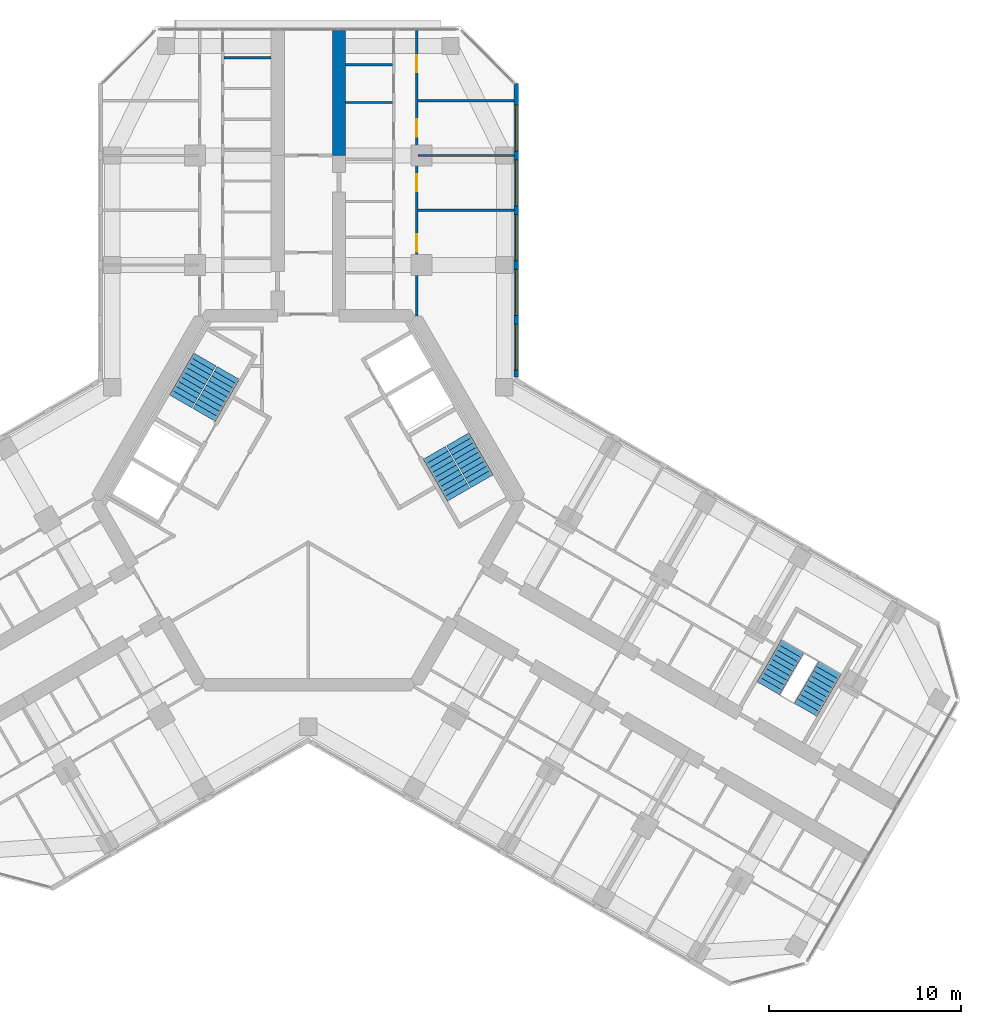
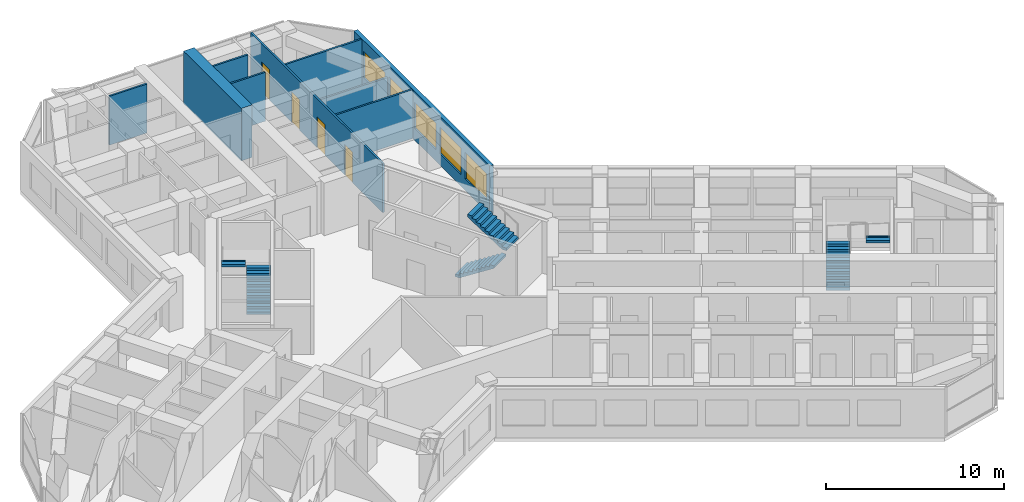
# One storey, part 15 of 16: 9 walls, 6 stair flights, 5 windows, 4 doors, 9 openings, 3 elements without a shape of their own.
"""IFC4 building model written with IfcOpenShell, lengths in metres."""

from ifc_helpers import new_model, si_unit, direction, frame, frame_2d, origin, place, context, subcontext, project, spatial, polyline, rectangle, outline, extrude, material, layer, layer_set, type_object, element, fill, aggregate, save


model = new_model("IFC4")

# Units and contexts
model_context = context("Model", 3, precision=1e-05, world=origin(), true_north=direction((0.0, 1.0)))
body_context = subcontext(model_context, "Body", "Model", "MODEL_VIEW")
ifc_project = project(units=[si_unit("LENGTHUNIT", "METRE"), si_unit("AREAUNIT", "SQUARE_METRE"), si_unit("VOLUMEUNIT", "CUBIC_METRE"), si_unit("PLANEANGLEUNIT", "RADIAN"), si_unit("MASSUNIT", "GRAM", prefix="KILO")], contexts=[model_context])

# Site, building, storey
site_placement = place(None, origin())
site = spatial("IfcSite", under=ifc_project, at=site_placement, CompositionType="ELEMENT")
building_placement = place(site_placement, origin())
building = spatial("IfcBuilding", under=site, at=building_placement, Name="Kosmar Iwan School Tower", CompositionType="ELEMENT")
storey_placement = place(building_placement, frame((0.0, 0.0, 215.39990234375)))
storey = spatial("IfcBuildingStorey", under=building, at=storey_placement, Name="L54", CompositionType="ELEMENT", Elevation=215.39990234375)

# Walls
ifc_material_1 = material(Name="Concrete C50/60", Category="concrete")
ifc_layer_1 = layer(ifc_material_1, 0.699951171875)
ifc_layer_set_1 = layer_set([ifc_layer_1], Name="Corridor buttress wall 700")
wall_type_1 = type_object("IfcWallType", Name="Corridor buttress wall 700", PredefinedType="SHEAR", material=ifc_layer_set_1)
wall_1_placement = place(storey_placement, frame((1.60009765625, 17.949951171875, 0.0), z_axis=(0.0, 0.0, 1.0), x_axis=(0.0, 1.0, 0.0)))
element("IfcWall", 1, at=wall_1_placement, inside=storey, type_object=wall_type_1, Name="Corridor wall AR bay 2", PredefinedType="SHEAR", context=body_context, shape_type="SweptSolid", body=[
    extrude(rectangle(XDim=6.4951171875, YDim=0.699951171875, at=frame_2d((3.24755859375, 0.0))), origin(), (0.0, 0.0, 1.0), 3.60009765625),
])
ifc_material_2 = material(Name="Gypsum board on steel studs", Category="steel")
ifc_layer_2 = layer(ifc_material_2, 0.1201171875)
ifc_layer_set_2 = layer_set([ifc_layer_2], Name="Dwelling partition 120")
wall_type_2 = type_object("IfcWallType", Name="Dwelling partition 120", PredefinedType="PARTITIONING", material=ifc_layer_set_2)
wall_2_placement = place(storey_placement, frame((-1.949951171875, 23.043212890625, 0.0), z_axis=(0.0, 0.0, 1.0), x_axis=(-1.0, 0.0, 0.0)))
element("IfcWall", 2, at=wall_2_placement, inside=storey, type_object=wall_type_2, Name="Partition L54-AL1-Y7", PredefinedType="PARTITIONING", context=body_context, shape_type="SweptSolid", body=[
    extrude(rectangle(XDim=2.43994140625, YDim=0.1201171875, at=frame_2d((1.219970703125, 0.0))), origin(), (0.0, 0.0, 1.0), 3.35009765625),
])

# Wall, openings, doors
wall_3_placement = place(storey_placement, frame((5.64990234375, 9.60009765625, 0.0), z_axis=(0.0, 0.0, 1.0), x_axis=(0.0, 1.0, 0.0)))
wall_3 = element("IfcWall", 3, at=wall_3_placement, inside=storey, type_object=wall_type_2, Name="Partition L54-AR1-W2", PredefinedType="PARTITIONING", context=body_context, shape_type="SweptSolid", body=[
    extrude(rectangle(XDim=14.844970703125, YDim=0.1201171875, at=frame_2d((7.42236328125, 0.0))), origin(), (0.0, 0.0, 1.0), 3.35009765625),
])
opening_1_placement = place(wall_3_placement, frame((3.35009765625, 0.0, 0.0)))
opening_1 = element("IfcOpeningElement", 4, at=opening_1_placement, cuts=wall_3, Name="Opening D2", PredefinedType="OPENING", context=body_context, shape_type="SweptSolid", body=[
    extrude(rectangle(XDim=0.89990234375, YDim=2.10009765625, at=frame_2d((0.449951171875, 1.050048828125))), frame((0.0, 0.072021484375, 0.0), z_axis=(0.0, -1.0, 0.0), x_axis=(1.0, 0.0, 0.0)), (0.0, 0.0, 1.0), 0.14404296875),
])
opening_2_placement = place(wall_3_placement, frame((6.47509765625, 0.0, 0.0)))
opening_2 = element("IfcOpeningElement", 5, at=opening_2_placement, cuts=wall_3, Name="Opening D2", PredefinedType="OPENING", context=body_context, shape_type="SweptSolid", body=[
    extrude(rectangle(XDim=0.89990234375, YDim=2.10009765625, at=frame_2d((0.449951171875, 1.050048828125))), frame((0.0, 0.072021484375, 0.0), z_axis=(0.0, -1.0, 0.0), x_axis=(1.0, 0.0, 0.0)), (0.0, 0.0, 1.0), 0.14404296875),
])
opening_3_placement = place(wall_3_placement, frame((9.324951171875, 0.0, 0.0)))
opening_3 = element("IfcOpeningElement", 6, at=opening_3_placement, cuts=wall_3, Name="Opening D2", PredefinedType="OPENING", context=body_context, shape_type="SweptSolid", body=[
    extrude(rectangle(XDim=0.89990234375, YDim=2.10009765625, at=frame_2d((0.449951171875, 1.050048828125))), frame((0.0, 0.072021484375, 0.0), z_axis=(0.0, -1.0, 0.0), x_axis=(1.0, 0.0, 0.0)), (0.0, 0.0, 1.0), 0.14404296875),
])
opening_4_placement = place(wall_3_placement, frame((12.675048828125, 0.0, 0.0)))
opening_4 = element("IfcOpeningElement", 7, at=opening_4_placement, cuts=wall_3, Name="Opening D2", PredefinedType="OPENING", context=body_context, shape_type="SweptSolid", body=[
    extrude(rectangle(XDim=0.89990234375, YDim=2.10009765625, at=frame_2d((0.449951171875, 1.050048828125))), frame((0.0, 0.072021484375, 0.0), z_axis=(0.0, -1.0, 0.0), x_axis=(1.0, 0.0, 0.0)), (0.0, 0.0, 1.0), 0.14404296875),
])
ifc_material_3 = material(Name="Timber door in timber frame", Category="wood")
door_type = type_object("IfcDoorType", Name="Internal door 900x2100", OperationType="SINGLE_SWING_LEFT", PredefinedType="DOOR", material=ifc_material_3)
door_1_placement = place(opening_1_placement, origin())
door_1 = element("IfcDoor", 8, at=door_1_placement, inside=storey, type_object=door_type, Name="Family room and kitchen door L54-AR1-F1", OperationType="SINGLE_SWING_LEFT", OverallHeight=2.10009765625, OverallWidth=0.89990234375, PredefinedType="DOOR", context=body_context, shape_type="SweptSolid", body=[
    extrude(rectangle(XDim=0.89990234375, YDim=2.10009765625, at=frame_2d((0.449951171875, 1.050048828125))), frame((0.0, 0.02490234375, 0.0), z_axis=(0.0, -1.0, 0.0), x_axis=(1.0, 0.0, 0.0)), (0.0, 0.0, 1.0), 0.050048828125),
])
fill(opening_1, door_1)
door_2_placement = place(opening_2_placement, origin())
door_2 = element("IfcDoor", 9, at=door_2_placement, inside=storey, type_object=door_type, Name="Bedroom 1 door L54-AR1-F2", OperationType="SINGLE_SWING_LEFT", OverallHeight=2.10009765625, OverallWidth=0.89990234375, PredefinedType="DOOR", context=body_context, shape_type="SweptSolid", body=[
    extrude(rectangle(XDim=0.89990234375, YDim=2.10009765625, at=frame_2d((0.449951171875, 1.050048828125))), frame((0.0, 0.02490234375, 0.0), z_axis=(0.0, -1.0, 0.0), x_axis=(1.0, 0.0, 0.0)), (0.0, 0.0, 1.0), 0.050048828125),
])
fill(opening_2, door_2)
door_3_placement = place(opening_3_placement, origin())
door_3 = element("IfcDoor", 10, at=door_3_placement, inside=storey, type_object=door_type, Name="Bedroom 2 door L54-AR1-F3", OperationType="SINGLE_SWING_RIGHT", OverallHeight=2.10009765625, OverallWidth=0.89990234375, PredefinedType="DOOR", context=body_context, shape_type="SweptSolid", body=[
    extrude(rectangle(XDim=0.89990234375, YDim=2.10009765625, at=frame_2d((0.449951171875, 1.050048828125))), frame((0.0, 0.02490234375, 0.0), z_axis=(0.0, -1.0, 0.0), x_axis=(1.0, 0.0, 0.0)), (0.0, 0.0, 1.0), 0.050048828125),
])
fill(opening_3, door_3)
door_4_placement = place(opening_4_placement, origin())
door_4 = element("IfcDoor", 11, at=door_4_placement, inside=storey, type_object=door_type, Name="Bedroom 3 door L54-AR1-F4", OperationType="SINGLE_SWING_RIGHT", OverallHeight=2.10009765625, OverallWidth=0.89990234375, PredefinedType="DOOR", context=body_context, shape_type="SweptSolid", body=[
    extrude(rectangle(XDim=0.89990234375, YDim=2.10009765625, at=frame_2d((0.449951171875, 1.050048828125))), frame((0.0, 0.02490234375, 0.0), z_axis=(0.0, -1.0, 0.0), x_axis=(1.0, 0.0, 0.0)), (0.0, 0.0, 1.0), 0.050048828125),
])
fill(opening_4, door_4)

# Walls
wall_4_placement = place(storey_placement, frame((5.7099609375, 15.10009765625, 0.0), z_axis=(0.0, 0.0, 1.0), x_axis=(1.0, 0.0, 0.0)))
element("IfcWall", 12, at=wall_4_placement, inside=storey, type_object=wall_type_2, Name="Partition L54-AR1-X1", PredefinedType="PARTITIONING", context=body_context, shape_type="SweptSolid", body=[
    extrude(rectangle(XDim=4.989990234375, YDim=0.1201171875, at=frame_2d((2.4951171875, 0.0))), origin(), (0.0, 0.0, 1.0), 3.35009765625),
])
wall_5_placement = place(storey_placement, frame((5.7099609375, 17.949951171875, 0.0), z_axis=(0.0, 0.0, 1.0), x_axis=(1.0, 0.0, 0.0)))
element("IfcWall", 13, at=wall_5_placement, inside=storey, type_object=wall_type_2, Name="Partition L54-AR1-X2", PredefinedType="PARTITIONING", context=body_context, shape_type="SweptSolid", body=[
    extrude(rectangle(XDim=4.989990234375, YDim=0.1201171875, at=frame_2d((2.4951171875, 0.0))), origin(), (0.0, 0.0, 1.0), 2.4501953125),
])
wall_6_placement = place(storey_placement, frame((5.7099609375, 20.800048828125, 0.0), z_axis=(0.0, 0.0, 1.0), x_axis=(1.0, 0.0, 0.0)))
element("IfcWall", 14, at=wall_6_placement, inside=storey, type_object=wall_type_2, Name="Partition L54-AR1-X3", PredefinedType="PARTITIONING", context=body_context, shape_type="SweptSolid", body=[
    extrude(rectangle(XDim=4.989990234375, YDim=0.1201171875, at=frame_2d((2.4951171875, 0.0))), origin(), (0.0, 0.0, 1.0), 3.35009765625),
])
for number, where, z_axis, x_axis, name in (
    (15, (1.949951171875, 20.70703125, 0.0), (0.0, 0.0, 1.0), (1.0, 0.0, 0.0), "Partition L54-AR1-Y5"),
    (16, (1.949951171875, 22.678466796875, 0.0), (0.0, 0.0, 1.0), (1.0, 0.0, 0.0), "Partition L54-AR1-Y6"),
):
    element("IfcWall", number, at=place(storey_placement, frame(where, z_axis=z_axis, x_axis=x_axis)), inside=storey, type_object=wall_type_2, Name=name, PredefinedType="PARTITIONING", context=body_context, shape_type="SweptSolid", body=[
        extrude(rectangle(XDim=2.43994140625, YDim=0.1201171875, at=frame_2d((1.219970703125, 0.0))), origin(), (0.0, 0.0, 1.0), 3.35009765625),
    ])

# Wall, openings, windows
ifc_material_4 = material(Name="Black aluminium rainscreen on insulated framing", Category="aluminium")
ifc_layer_3 = layer(ifc_material_4, 0.25)
ifc_layer_set_3 = layer_set([ifc_layer_3], Name="External wall rainscreen 250")
wall_type_3 = type_object("IfcWallType", Name="External wall rainscreen 250", PredefinedType="SOLIDWALL", material=ifc_layer_set_3)
wall_7_placement = place(storey_placement, frame((10.824951171875, 6.408935546875, 0.0), z_axis=(0.0, 0.0, 1.0), x_axis=(0.0, 1.0, 0.0)))
wall_7 = element("IfcWall", 17, at=wall_7_placement, inside=storey, type_object=wall_type_3, Name="External wall AR L54", PredefinedType="SOLIDWALL", context=body_context, shape_type="SweptSolid", body=[
    extrude(rectangle(XDim=15.2763671875, YDim=0.25, at=frame_2d((7.63818359375, 0.0))), origin(), (0.0, 0.0, 1.0), 3.35009765625),
])
opening_5_placement = place(wall_7_placement, frame((0.365966796875, 0.0, 0.800048828125)))
opening_5 = element("IfcOpeningElement", 18, at=opening_5_placement, cuts=wall_7, Name="Opening W5", PredefinedType="OPENING", context=body_context, shape_type="SweptSolid", body=[
    extrude(rectangle(XDim=2.39990234375, YDim=1.800048828125, at=frame_2d((1.199951171875, 0.89990234375))), frame((0.0, 0.136962890625, 0.0), z_axis=(0.0, -1.0, 0.0), x_axis=(1.0, 0.0, 0.0)), (0.0, 0.0, 1.0), 0.27392578125),
])
opening_6_placement = place(wall_7_placement, frame((3.216064453125, 0.0, 0.800048828125)))
opening_6 = element("IfcOpeningElement", 19, at=opening_6_placement, cuts=wall_7, Name="Opening W5", PredefinedType="OPENING", context=body_context, shape_type="SweptSolid", body=[
    extrude(rectangle(XDim=2.39990234375, YDim=1.800048828125, at=frame_2d((1.199951171875, 0.89990234375))), frame((0.0, 0.136962890625, 0.0), z_axis=(0.0, -1.0, 0.0), x_axis=(1.0, 0.0, 0.0)), (0.0, 0.0, 1.0), 0.27392578125),
])
opening_7_placement = place(wall_7_placement, frame((6.06591796875, 0.0, 0.800048828125)))
opening_7 = element("IfcOpeningElement", 20, at=opening_7_placement, cuts=wall_7, Name="Opening W5", PredefinedType="OPENING", context=body_context, shape_type="SweptSolid", body=[
    extrude(rectangle(XDim=2.39990234375, YDim=1.800048828125, at=frame_2d((1.199951171875, 0.89990234375))), frame((0.0, 0.136962890625, 0.0), z_axis=(0.0, -1.0, 0.0), x_axis=(1.0, 0.0, 0.0)), (0.0, 0.0, 1.0), 0.27392578125),
])
opening_8_placement = place(wall_7_placement, frame((8.916015625, 0.0, 0.800048828125)))
opening_8 = element("IfcOpeningElement", 21, at=opening_8_placement, cuts=wall_7, Name="Opening W5", PredefinedType="OPENING", context=body_context, shape_type="SweptSolid", body=[
    extrude(rectangle(XDim=2.39990234375, YDim=1.800048828125, at=frame_2d((1.199951171875, 0.89990234375))), frame((0.0, 0.136962890625, 0.0), z_axis=(0.0, -1.0, 0.0), x_axis=(1.0, 0.0, 0.0)), (0.0, 0.0, 1.0), 0.27392578125),
])
opening_9_placement = place(wall_7_placement, frame((11.76611328125, 0.0, 0.800048828125)))
opening_9 = element("IfcOpeningElement", 22, at=opening_9_placement, cuts=wall_7, Name="Opening W5", PredefinedType="OPENING", context=body_context, shape_type="SweptSolid", body=[
    extrude(rectangle(XDim=2.39990234375, YDim=1.800048828125, at=frame_2d((1.199951171875, 0.89990234375))), frame((0.0, 0.136962890625, 0.0), z_axis=(0.0, -1.0, 0.0), x_axis=(1.0, 0.0, 0.0)), (0.0, 0.0, 1.0), 0.27392578125),
])
ifc_material_5 = material(Name="Black aluminium frame with dark triple glazing", Category="aluminium")
window_type = type_object("IfcWindowType", Name="Window 2400x1800", PartitioningType="SINGLE_PANEL", PredefinedType="WINDOW", material=ifc_material_5)
window_1_placement = place(opening_5_placement, origin())
window_1 = element("IfcWindow", 23, at=window_1_placement, inside=storey, type_object=window_type, Name="Window AR L54 -1", OverallHeight=1.800048828125, OverallWidth=2.39990234375, PartitioningType="SINGLE_PANEL", PredefinedType="WINDOW", context=body_context, shape_type="SweptSolid", body=[
    extrude(rectangle(XDim=2.39990234375, YDim=1.800048828125, at=frame_2d((1.199951171875, 0.89990234375))), frame((0.0, 0.030029296875, 0.0), z_axis=(0.0, -1.0, 0.0), x_axis=(1.0, 0.0, 0.0)), (0.0, 0.0, 1.0), 0.06005859375),
])
fill(opening_5, window_1)
window_2_placement = place(opening_6_placement, origin())
window_2 = element("IfcWindow", 24, at=window_2_placement, inside=storey, type_object=window_type, Name="Window AR L54 0", OverallHeight=1.800048828125, OverallWidth=2.39990234375, PartitioningType="SINGLE_PANEL", PredefinedType="WINDOW", context=body_context, shape_type="SweptSolid", body=[
    extrude(rectangle(XDim=2.39990234375, YDim=1.800048828125, at=frame_2d((1.199951171875, 0.89990234375))), frame((0.0, 0.030029296875, 0.0), z_axis=(0.0, -1.0, 0.0), x_axis=(1.0, 0.0, 0.0)), (0.0, 0.0, 1.0), 0.06005859375),
])
fill(opening_6, window_2)
window_3_placement = place(opening_7_placement, origin())
window_3 = element("IfcWindow", 25, at=window_3_placement, inside=storey, type_object=window_type, Name="Window AR L54 1", OverallHeight=1.800048828125, OverallWidth=2.39990234375, PartitioningType="SINGLE_PANEL", PredefinedType="WINDOW", context=body_context, shape_type="SweptSolid", body=[
    extrude(rectangle(XDim=2.39990234375, YDim=1.800048828125, at=frame_2d((1.199951171875, 0.89990234375))), frame((0.0, 0.030029296875, 0.0), z_axis=(0.0, -1.0, 0.0), x_axis=(1.0, 0.0, 0.0)), (0.0, 0.0, 1.0), 0.06005859375),
])
fill(opening_7, window_3)
window_4_placement = place(opening_8_placement, origin())
window_4 = element("IfcWindow", 26, at=window_4_placement, inside=storey, type_object=window_type, Name="Window AR L54 2", OverallHeight=1.800048828125, OverallWidth=2.39990234375, PartitioningType="SINGLE_PANEL", PredefinedType="WINDOW", context=body_context, shape_type="SweptSolid", body=[
    extrude(rectangle(XDim=2.39990234375, YDim=1.800048828125, at=frame_2d((1.199951171875, 0.89990234375))), frame((0.0, 0.030029296875, 0.0), z_axis=(0.0, -1.0, 0.0), x_axis=(1.0, 0.0, 0.0)), (0.0, 0.0, 1.0), 0.06005859375),
])
fill(opening_8, window_4)
window_5_placement = place(opening_9_placement, origin())
window_5 = element("IfcWindow", 27, at=window_5_placement, inside=storey, type_object=window_type, Name="Window AR L54 3", OverallHeight=1.800048828125, OverallWidth=2.39990234375, PartitioningType="SINGLE_PANEL", PredefinedType="WINDOW", context=body_context, shape_type="SweptSolid", body=[
    extrude(rectangle(XDim=2.39990234375, YDim=1.800048828125, at=frame_2d((1.199951171875, 0.89990234375))), frame((0.0, 0.030029296875, 0.0), z_axis=(0.0, -1.0, 0.0), x_axis=(1.0, 0.0, 0.0)), (0.0, 0.0, 1.0), 0.06005859375),
])
fill(opening_9, window_5)

# Stair, stair flights
ifc_material_6 = material(Name="Concrete C35/45", Category="concrete")
stair_type_1 = type_object("IfcStairType", Name="Escape stair 3600", PredefinedType="HALF_TURN_STAIR", material=ifc_material_6)
stair_1_placement = place(storey_placement, origin())
stair_1 = element("IfcStair", 28, at=stair_1_placement, inside=storey, type_object=stair_type_1, Name="Stair WS3 L54", PredefinedType="HALF_TURN_STAIR")
ifc_material_7 = material(Name="Concrete C35/45", Category="concrete")
stair_flight_type_1 = type_object("IfcStairFlightType", Name="Escape stair flight 1350", PredefinedType="STRAIGHT", material=ifc_material_7)
stair_flight_1_placement = place(storey_placement, frame((23.94189453125, -9.781494140625, 0.0), z_axis=(0.0, 0.0, 1.0), x_axis=(0.5, 0.866025403784, 0.0)))
stair_flight_1 = element("IfcStairFlight", 29, at=stair_flight_1_placement, type_object=stair_flight_type_1, Name="WS3 flight 1", NumberOfRisers=10, NumberOfTreads=9, PredefinedType="STRAIGHT", RiserHeight=0.18, TreadLength=0.28, context=body_context, shape_type="SweptSolid", body=[
    extrude(outline(polyline([(0.0, 0.0), (0.0, 0.179931640625), (0.280029296875, 0.179931640625), (0.280029296875, 0.360107421875), (0.56005859375, 0.360107421875), (0.56005859375, 0.5400390625), (0.840087890625, 0.5400390625), (0.840087890625, 0.719970703125), (1.1201171875, 0.719970703125), (1.1201171875, 0.89990234375), (1.39990234375, 0.89990234375), (1.39990234375, 1.080078125), (1.679931640625, 1.080078125), (1.679931640625, 1.260009765625), (1.9599609375, 1.260009765625), (1.9599609375, 1.43994140625), (2.239990234375, 1.43994140625), (2.239990234375, 1.6201171875), (2.52001953125, 1.6201171875), (2.52001953125, 1.800048828125), (2.52001953125, 1.44189453125), (0.277099609375, 0.0), (0.0, 0.0)])), frame((0.0, 0.675048828125, 0.0), z_axis=(0.0, -1.0, 0.0), x_axis=(1.0, 0.0, 0.0)), (0.0, 0.0, 1.0), 1.35009765625),
])
stair_flight_2_placement = place(storey_placement, frame((27.150390625, -8.72412109375, 1.800048828125), z_axis=(0.0, 0.0, 1.0), x_axis=(-0.5, -0.866025403784, 0.0)))
stair_flight_2 = element("IfcStairFlight", 30, at=stair_flight_2_placement, type_object=stair_flight_type_1, Name="WS3 flight 2", NumberOfRisers=10, NumberOfTreads=9, PredefinedType="STRAIGHT", RiserHeight=0.18, TreadLength=0.28, context=body_context, shape_type="SweptSolid", body=[
    extrude(outline(polyline([(0.0, 0.0), (0.0, 0.179931640625), (0.280029296875, 0.179931640625), (0.280029296875, 0.360107421875), (0.56005859375, 0.360107421875), (0.56005859375, 0.5400390625), (0.840087890625, 0.5400390625), (0.840087890625, 0.719970703125), (1.1201171875, 0.719970703125), (1.1201171875, 0.89990234375), (1.39990234375, 0.89990234375), (1.39990234375, 1.080078125), (1.679931640625, 1.080078125), (1.679931640625, 1.260009765625), (1.9599609375, 1.260009765625), (1.9599609375, 1.43994140625), (2.239990234375, 1.43994140625), (2.239990234375, 1.6201171875), (2.52001953125, 1.6201171875), (2.52001953125, 1.800048828125), (2.52001953125, 1.44189453125), (0.277099609375, 0.0), (0.0, 0.0)])), frame((0.0, 0.675048828125, 0.0), z_axis=(0.0, -1.0, 0.0), x_axis=(1.0, 0.0, 0.0)), (0.0, 0.0, 1.0), 1.35009765625),
])
aggregate(stair_1, [stair_flight_1, stair_flight_2])

ifc_material_8 = material(Name="Concrete C35/45", Category="concrete")
stair_type_2 = type_object("IfcStairType", Name="Core stair 2750", PredefinedType="HALF_TURN_STAIR", material=ifc_material_8)
stair_2_placement = place(storey_placement, origin())
stair_2 = element("IfcStair", 31, at=stair_2_placement, inside=storey, type_object=stair_type_2, Name="Stair ST2 L54", PredefinedType="HALF_TURN_STAIR")
ifc_material_9 = material(Name="Concrete C35/45", Category="concrete")
stair_flight_type_2 = type_object("IfcStairFlightType", Name="Stair flight 1350", PredefinedType="STRAIGHT", material=ifc_material_9)
stair_flight_3_placement = place(storey_placement, frame((-5.42724609375, 4.44970703125, 0.0), z_axis=(0.0, 0.0, 1.0), x_axis=(0.5, 0.866025403784, 0.0)))
stair_flight_3 = element("IfcStairFlight", 32, at=stair_flight_3_placement, type_object=stair_flight_type_2, Name="ST2 flight 1", NumberOfRisers=10, NumberOfTreads=9, PredefinedType="STRAIGHT", RiserHeight=0.18, TreadLength=0.28, context=body_context, shape_type="SweptSolid", body=[
    extrude(outline(polyline([(0.0, 0.0), (0.0, 0.179931640625), (0.280029296875, 0.179931640625), (0.280029296875, 0.360107421875), (0.56005859375, 0.360107421875), (0.56005859375, 0.5400390625), (0.840087890625, 0.5400390625), (0.840087890625, 0.719970703125), (1.1201171875, 0.719970703125), (1.1201171875, 0.89990234375), (1.39990234375, 0.89990234375), (1.39990234375, 1.080078125), (1.679931640625, 1.080078125), (1.679931640625, 1.260009765625), (1.9599609375, 1.260009765625), (1.9599609375, 1.43994140625), (2.239990234375, 1.43994140625), (2.239990234375, 1.6201171875), (2.52001953125, 1.6201171875), (2.52001953125, 1.800048828125), (2.52001953125, 1.44189453125), (0.277099609375, 0.0), (0.0, 0.0)])), frame((0.0, 0.675048828125, 0.0), z_axis=(0.0, -1.0, 0.0), x_axis=(1.0, 0.0, 0.0)), (0.0, 0.0, 1.0), 1.35009765625),
])
stair_flight_4_placement = place(storey_placement, frame((-5.379638671875, 7.33203125, 1.800048828125), z_axis=(0.0, 0.0, 1.0), x_axis=(-0.5, -0.866025403784, 0.0)))
stair_flight_4 = element("IfcStairFlight", 33, at=stair_flight_4_placement, type_object=stair_flight_type_2, Name="ST2 flight 2", NumberOfRisers=10, NumberOfTreads=9, PredefinedType="STRAIGHT", RiserHeight=0.18, TreadLength=0.28, context=body_context, shape_type="SweptSolid", body=[
    extrude(outline(polyline([(0.0, 0.0), (0.0, 0.179931640625), (0.280029296875, 0.179931640625), (0.280029296875, 0.360107421875), (0.56005859375, 0.360107421875), (0.56005859375, 0.5400390625), (0.840087890625, 0.5400390625), (0.840087890625, 0.719970703125), (1.1201171875, 0.719970703125), (1.1201171875, 0.89990234375), (1.39990234375, 0.89990234375), (1.39990234375, 1.080078125), (1.679931640625, 1.080078125), (1.679931640625, 1.260009765625), (1.9599609375, 1.260009765625), (1.9599609375, 1.43994140625), (2.239990234375, 1.43994140625), (2.239990234375, 1.6201171875), (2.52001953125, 1.6201171875), (2.52001953125, 1.800048828125), (2.52001953125, 1.44189453125), (0.277099609375, 0.0), (0.0, 0.0)])), frame((0.0, 0.675048828125, 0.0), z_axis=(0.0, -1.0, 0.0), x_axis=(1.0, 0.0, 0.0)), (0.0, 0.0, 1.0), 1.35009765625),
])
aggregate(stair_2, [stair_flight_3, stair_flight_4])

stair_3_placement = place(storey_placement, origin())
stair_3 = element("IfcStair", 34, at=stair_3_placement, inside=storey, type_object=stair_type_2, Name="Stair ST1 L54", PredefinedType="HALF_TURN_STAIR")
stair_flight_5_placement = place(storey_placement, frame((6.567138671875, 2.475341796875, 0.0), z_axis=(0.0, 0.0, 1.0), x_axis=(0.5, -0.866025403784, 0.0)))
stair_flight_5 = element("IfcStairFlight", 35, at=stair_flight_5_placement, type_object=stair_flight_type_2, Name="ST1 flight 1", NumberOfRisers=10, NumberOfTreads=9, PredefinedType="STRAIGHT", RiserHeight=0.18, TreadLength=0.28, context=body_context, shape_type="SweptSolid", body=[
    extrude(outline(polyline([(0.0, 0.0), (0.0, 0.179931640625), (0.280029296875, 0.179931640625), (0.280029296875, 0.360107421875), (0.56005859375, 0.360107421875), (0.56005859375, 0.5400390625), (0.840087890625, 0.5400390625), (0.840087890625, 0.719970703125), (1.1201171875, 0.719970703125), (1.1201171875, 0.89990234375), (1.39990234375, 0.89990234375), (1.39990234375, 1.080078125), (1.679931640625, 1.080078125), (1.679931640625, 1.260009765625), (1.9599609375, 1.260009765625), (1.9599609375, 1.43994140625), (2.239990234375, 1.43994140625), (2.239990234375, 1.6201171875), (2.52001953125, 1.6201171875), (2.52001953125, 1.800048828125), (2.52001953125, 1.44189453125), (0.277099609375, 0.0), (0.0, 0.0)])), frame((0.0, 0.675048828125, 0.0), z_axis=(0.0, -1.0, 0.0), x_axis=(1.0, 0.0, 0.0)), (0.0, 0.0, 1.0), 1.35009765625),
])
stair_flight_6_placement = place(storey_placement, frame((9.03955078125, 0.992919921875, 1.800048828125), z_axis=(0.0, 0.0, 1.0), x_axis=(-0.5, 0.866025403784, 0.0)))
stair_flight_6 = element("IfcStairFlight", 36, at=stair_flight_6_placement, type_object=stair_flight_type_2, Name="ST1 flight 2", NumberOfRisers=10, NumberOfTreads=9, PredefinedType="STRAIGHT", RiserHeight=0.18, TreadLength=0.28, context=body_context, shape_type="SweptSolid", body=[
    extrude(outline(polyline([(0.0, 0.0), (0.0, 0.179931640625), (0.280029296875, 0.179931640625), (0.280029296875, 0.360107421875), (0.56005859375, 0.360107421875), (0.56005859375, 0.5400390625), (0.840087890625, 0.5400390625), (0.840087890625, 0.719970703125), (1.1201171875, 0.719970703125), (1.1201171875, 0.89990234375), (1.39990234375, 0.89990234375), (1.39990234375, 1.080078125), (1.679931640625, 1.080078125), (1.679931640625, 1.260009765625), (1.9599609375, 1.260009765625), (1.9599609375, 1.43994140625), (2.239990234375, 1.43994140625), (2.239990234375, 1.6201171875), (2.52001953125, 1.6201171875), (2.52001953125, 1.800048828125), (2.52001953125, 1.44189453125), (0.277099609375, 0.0), (0.0, 0.0)])), frame((0.0, 0.675048828125, 0.0), z_axis=(0.0, -1.0, 0.0), x_axis=(1.0, 0.0, 0.0)), (0.0, 0.0, 1.0), 1.35009765625),
])
aggregate(stair_3, [stair_flight_5, stair_flight_6])

save(model, "model.ifc")
